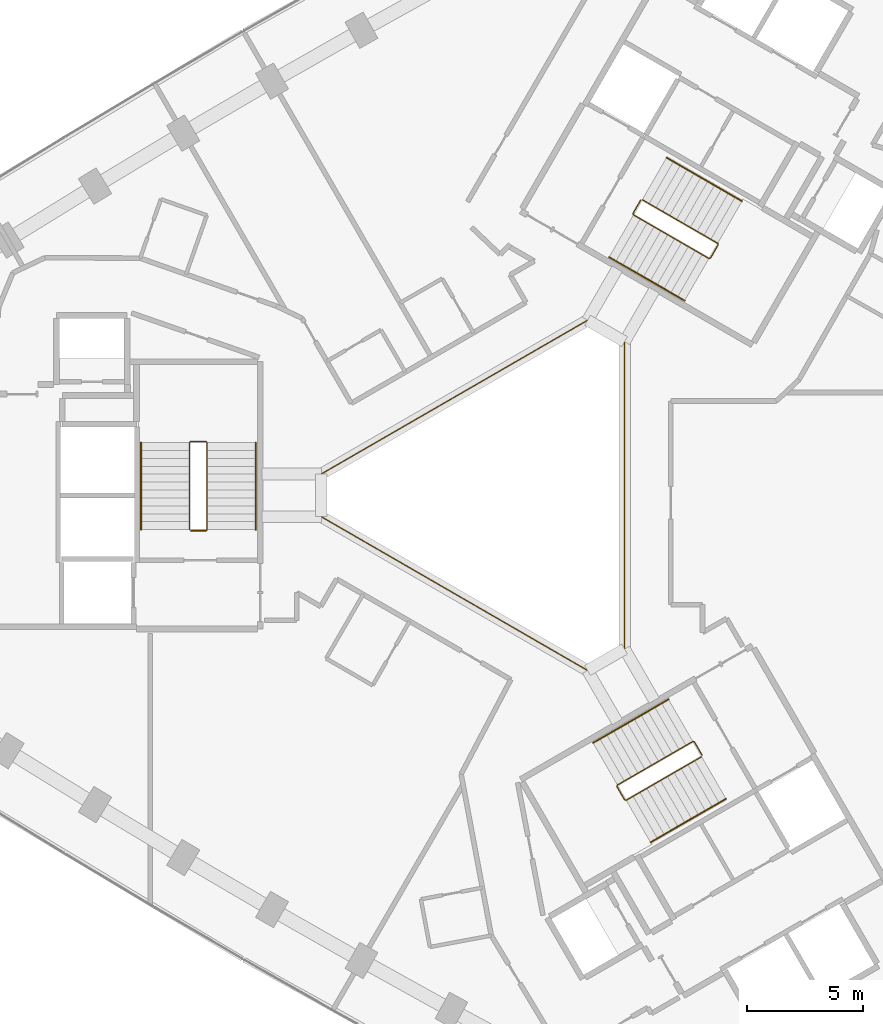
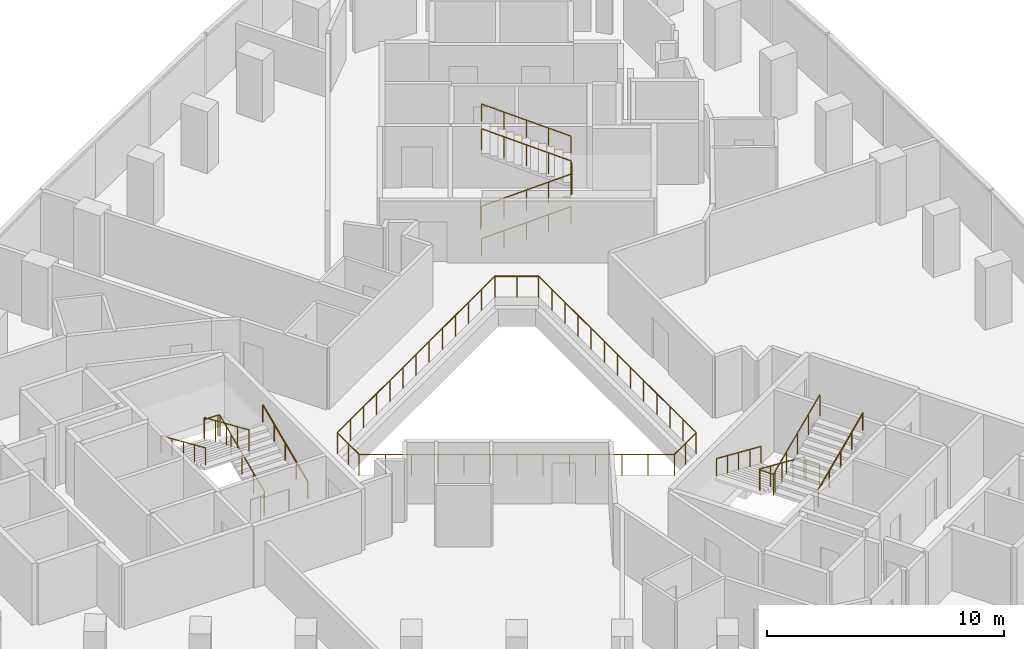
# One storey, part 12 of 12: 10 railings.
"""IFC4 building model written with IfcOpenShell, lengths in metres."""

import ifcopenshell
import ifcopenshell.guid

model = None  # the IFC model being written
_history = None  # IfcOwnerHistory: only IFC2X3 demands one
_inside = {}  # id of a spatial element -> (the spatial element, [elements in it])
_under = {}  # id of a project, library or spatial element -> (it, [spatial elements below it])
_declared = {}  # id of a project -> (the project, [libraries it declares])
_typed = {}  # id of a type object -> (the type object, [elements of that type])
_made_of = {}  # id of a material, layer set ... -> (it, [elements and type objects made of it])


def new_model(schema):
    """Start an empty IFC model of exactly this schema.

    Asked for "IFC4X3", IfcOpenShell would pick the latest addendum, in which some entities
    have other attributes; the version numbers below select the first issue.
    IFC2X3 requires an IfcOwnerHistory on every rooted entity: one is made here for all.
    """
    global model, _history
    if schema == "IFC4X3":
        model = ifcopenshell.file(schema_version=(4, 3, 0, 0))
    else:
        model = ifcopenshell.file(schema=schema)
    _inside.clear()
    _under.clear()
    _declared.clear()
    _typed.clear()
    _made_of.clear()
    _history = None
    if model.schema == "IFC2X3":
        org = make("IfcOrganization", Name="unknown")
        user = make(
            "IfcPersonAndOrganization",
            ThePerson=make("IfcPerson", FamilyName="unknown"),
            TheOrganization=org,
        )
        app = make(
            "IfcApplication",
            ApplicationDeveloper=org,
            Version="unknown",
            ApplicationFullName="unknown",
            ApplicationIdentifier="unknown",
        )
        _history = make(
            "IfcOwnerHistory",
            OwningUser=user,
            OwningApplication=app,
            ChangeAction="ADDED",
            CreationDate=0,
        )
    return model


def make(cls, **values):
    """One entity of the class cls with the attributes given. An attribute that is None is left unset."""
    return model.create_entity(
        cls, **{name: value for name, value in values.items() if value is not None}
    )


def rooted(cls, **values):
    """An entity with a GlobalId (a new one), such as an element, a storey or a relation."""
    return make(cls, GlobalId=ifcopenshell.guid.new(), OwnerHistory=_history, **values)


def si_unit(unit_type, name, prefix=None):
    """IfcSIUnit, for example si_unit("LENGTHUNIT", "METRE", prefix="MILLI")."""
    return make("IfcSIUnit", UnitType=unit_type, Prefix=prefix, Name=name)


def assignment(units):
    """IfcUnitAssignment: the units of a project."""
    return None if units is None else make("IfcUnitAssignment", Units=units)


def point(xyz):
    """IfcCartesianPoint."""
    return None if xyz is None else make("IfcCartesianPoint", Coordinates=xyz)


def direction(xyz):
    """IfcDirection."""
    return None if xyz is None else make("IfcDirection", DirectionRatios=xyz)


def frame(location, z_axis=None, x_axis=None):
    """IfcAxis2Placement3D, a coordinate frame: its origin and axes. An axis left out is left unset."""
    return make(
        "IfcAxis2Placement3D",
        Location=point(location),
        Axis=direction(z_axis),
        RefDirection=direction(x_axis),
    )


def frame_2d(location, x_axis=None):
    """IfcAxis2Placement2D, a coordinate frame in the plane: its origin and x axis."""
    return make(
        "IfcAxis2Placement2D", Location=point(location), RefDirection=direction(x_axis)
    )


def origin():
    """The frame at (0, 0, 0) with its axes left unset."""
    return frame((0.0, 0.0, 0.0))


def origin_2d():
    """The frame at (0, 0) in the plane with its x axis left unset."""
    return frame_2d((0.0, 0.0))


def place(relative_to, where):
    """IfcLocalPlacement: puts the frame where relative to a parent placement (None: the world)."""
    return make(
        "IfcLocalPlacement", PlacementRelTo=relative_to, RelativePlacement=where
    )


def context(
    kind, dimensions, precision=None, world=None, true_north=None, identifier=None
):
    """IfcGeometricRepresentationContext, for example the 3D "Model" context."""
    return make(
        "IfcGeometricRepresentationContext",
        ContextIdentifier=identifier,
        ContextType=kind,
        CoordinateSpaceDimension=dimensions,
        Precision=precision,
        WorldCoordinateSystem=world,
        TrueNorth=true_north,
    )


def subcontext(parent, identifier, kind, view, scale=None):
    """IfcGeometricRepresentationSubContext, for example "Body" below "Model"."""
    return make(
        "IfcGeometricRepresentationSubContext",
        ContextIdentifier=identifier,
        ContextType=kind,
        ParentContext=parent,
        TargetScale=scale,
        TargetView=view,
    )


def project(units=None, contexts=None):
    """IfcProject with its units and contexts."""
    return rooted(
        "IfcProject",
        Name="project",
        RepresentationContexts=contexts,
        UnitsInContext=assignment(units),
    )


def spatial(cls, under=None, at=None, **own):
    """A site, building, storey or space (cls), placed at a placement, below another one or the project."""
    s = rooted(cls, ObjectPlacement=at, **own)
    if under is not None:
        _under.setdefault(under.id(), (under, []))[1].append(s)
    return s


def profile(cls, at=None, kind="AREA", **sizes):
    """A parametric profile (cls). Its sizes go by their IFC names, for example OverallWidth=200.0."""
    return make(cls, ProfileType=kind, Position=at, **sizes)


def circle(**sizes):
    """IfcCircleProfileDef."""
    return profile("IfcCircleProfileDef", **sizes)


def extrude(swept, where, along, depth):
    """IfcExtrudedAreaSolid: the profile swept, set in the frame where, extruded along a direction by depth."""
    return make(
        "IfcExtrudedAreaSolid",
        SweptArea=swept,
        Position=where,
        ExtrudedDirection=direction(along),
        Depth=depth,
    )


def shape(context_of_items, identifier, shape_type, items):
    """IfcShapeRepresentation: the items that make up one representation, for example the "Body"."""
    return make(
        "IfcShapeRepresentation",
        ContextOfItems=context_of_items,
        RepresentationIdentifier=identifier,
        RepresentationType=shape_type,
        Items=items,
    )


def material(Name=None, Category=None):
    """IfcMaterial."""
    return make("IfcMaterial", Name=Name, Category=Category)


def made_of(thing, what):
    """Note that an element or type object is made of a material, layer set ...; save() writes the relation."""
    if what is not None:
        _made_of.setdefault(what.id(), (what, []))[1].append(thing)
    return thing


def type_object(cls, material=None, **own):
    """A type object (cls), such as IfcWallType, which elements share."""
    return made_of(rooted(cls, **own), material)


def element(
    cls,
    number,
    at=None,
    inside=None,
    cuts=None,
    type_object=None,
    material=None,
    context=None,
    identifier="Body",
    shape_type=None,
    held_by="IfcProductDefinitionShape",
    body=None,
    shapes=None,
    **own,
):
    """One element of the class cls, such as IfcWall. Its Tag is "e" and its number.

    at: its placement. inside: the storey or other place that contains it. cuts: it is an
    opening in that element (IfcRelVoidsElement). A single representation is given by context,
    identifier, shape_type and body (its items); several are given by shapes. held_by: the class
    of the entity that holds the representations. save() writes the other relations.
    """
    e = rooted(cls, Tag="e%d" % number, ObjectPlacement=at, **own)
    if body is not None:
        shapes = [shape(context, identifier, shape_type, body)]
    if shapes is not None:
        e.Representation = make(held_by, Representations=shapes)
    if inside is not None:
        _inside.setdefault(inside.id(), (inside, []))[1].append(e)
    if cuts is not None:
        rooted(
            "IfcRelVoidsElement", RelatingBuildingElement=cuts, RelatedOpeningElement=e
        )
    if type_object is not None:
        _typed.setdefault(type_object.id(), (type_object, []))[1].append(e)
    return made_of(e, material)


def aggregate(whole, parts):
    """IfcRelAggregates: a whole, such as a stair, and the parts it consists of."""
    return rooted("IfcRelAggregates", RelatingObject=whole, RelatedObjects=parts)


def save(model, path):
    """Write the relations noted so far, then the file.

    IfcRelAggregates (storeys below a building ...), IfcRelContainedInSpatialStructure (elements
    in a storey), IfcRelDefinesByType, IfcRelAssociatesMaterial and IfcRelDeclares: one each for
    every whole, place, type object, material and project.
    """
    for whole, parts in _under.values():
        aggregate(whole, parts)
    for where, things in _inside.values():
        rooted(
            "IfcRelContainedInSpatialStructure",
            RelatedElements=things,
            RelatingStructure=where,
        )
    for kind, things in _typed.values():
        rooted("IfcRelDefinesByType", RelatedObjects=things, RelatingType=kind)
    for what, things in _made_of.values():
        rooted("IfcRelAssociatesMaterial", RelatedObjects=things, RelatingMaterial=what)
    for by, libraries in _declared.values():
        rooted("IfcRelDeclares", RelatingContext=by, RelatedDefinitions=libraries)
    model.write(path)


model = new_model("IFC4")

# Units and contexts
model_context = context("Model", 3, precision=1e-05, world=origin(), true_north=direction((0.0, 1.0)))
body_context = subcontext(model_context, "Body", "Model", "MODEL_VIEW")
ifc_project = project(units=[si_unit("LENGTHUNIT", "METRE"), si_unit("AREAUNIT", "SQUARE_METRE"), si_unit("VOLUMEUNIT", "CUBIC_METRE"), si_unit("PLANEANGLEUNIT", "RADIAN"), si_unit("MASSUNIT", "GRAM", prefix="KILO")], contexts=[model_context])

# Site, building, storey
site_placement = place(None, origin())
site = spatial("IfcSite", under=ifc_project, at=site_placement, CompositionType="ELEMENT")
building_placement = place(site_placement, origin())
building = spatial("IfcBuilding", under=site, at=building_placement, Name="Tamra Quay Hotel Tower", CompositionType="ELEMENT")
storey_placement = place(building_placement, frame((0.0, 0.0, 104.60009765625)))
storey = spatial("IfcBuildingStorey", under=building, at=storey_placement, Name="L25", CompositionType="ELEMENT", Elevation=104.60009765625)

# Railings
ifc_material_1 = material(Name="Guard atrium edge 1100")
railing_type_1 = type_object("IfcRailingType", Name="Guard atrium edge 1100", PredefinedType="GUARDRAIL", material=ifc_material_1)
railing_1_placement = place(storey_placement, frame((4.89990234375, -6.639892578125, 0.0)))
element("IfcRailing", 1, at=railing_1_placement, inside=storey, type_object=railing_type_1, Name="G-A", PredefinedType="GUARDRAIL", context=body_context, shape_type="SweptSolid", body=[
    extrude(circle(Radius=0.02392578125, at=origin_2d()), frame((0.0, 0.0, 1.076171875), z_axis=(-0.866161379324, -0.499764409465, 0.0), x_axis=(0.499764409465, -0.866161379324, 0.0)), (0.0, 0.0, 1.0), 1.84716796875),
    extrude(circle(Radius=0.02392578125, at=origin_2d()), frame((-1.599853515625, -0.923095703125, 1.076171875), z_axis=(-0.866045362687, 0.499965428574, 0.0), x_axis=(-0.499965428574, -0.866045362687, 0.0)), (0.0, 0.0, 1.0), 13.27880859375),
    extrude(circle(Radius=0.02392578125, at=origin_2d()), frame((-13.099853515625, 5.7158203125, 1.076171875), z_axis=(0.0, 1.0, 0.0), x_axis=(-1.0, 0.0, 0.0)), (0.0, 0.0, 1.0), 1.84814453125),
    extrude(circle(Radius=0.02392578125, at=origin_2d()), frame((-13.099853515625, 7.56396484375, 1.076171875), z_axis=(0.866045362687, 0.499965428574, 0.0), x_axis=(-0.499965428574, 0.866045362687, 0.0)), (0.0, 0.0, 1.0), 13.27880859375),
    extrude(circle(Radius=0.02392578125, at=origin_2d()), frame((-1.599853515625, 14.202880859375, 1.076171875), z_axis=(0.866161379324, -0.499764409465, 0.0), x_axis=(0.499764409465, 0.866161379324, 0.0)), (0.0, 0.0, 1.0), 1.84716796875),
    extrude(circle(Radius=0.02392578125, at=origin_2d()), frame((0.0, 13.27978515625, 1.076171875), z_axis=(0.0, -1.0, 0.0), x_axis=(1.0, 0.0, 0.0)), (0.0, 0.0, 1.0), 13.27978515625),
    extrude(circle(Radius=0.02099609375, at=origin_2d()), origin(), (0.0, 0.0, 1.0), 1.052001953125),
    extrude(circle(Radius=0.02099609375, at=origin_2d()), frame((-0.7998046875, -0.46142578125, 0.0)), (0.0, 0.0, 1.0), 1.052001953125),
    extrude(circle(Radius=0.02099609375, at=origin_2d()), frame((-1.599853515625, -0.923095703125, 0.0)), (0.0, 0.0, 1.0), 1.052001953125),
    extrude(circle(Radius=0.02099609375, at=origin_2d()), frame((-2.55810546875, -0.369873046875, 0.0)), (0.0, 0.0, 1.0), 1.052001953125),
    extrude(circle(Radius=0.02099609375, at=origin_2d()), frame((-3.5166015625, 0.183349609375, 0.0)), (0.0, 0.0, 1.0), 1.052001953125),
    extrude(circle(Radius=0.02099609375, at=origin_2d()), frame((-4.474853515625, 0.736572265625, 0.0)), (0.0, 0.0, 1.0), 1.052001953125),
    extrude(circle(Radius=0.02099609375, at=origin_2d()), frame((-5.43310546875, 1.289794921875, 0.0)), (0.0, 0.0, 1.0), 1.052001953125),
    extrude(circle(Radius=0.02099609375, at=origin_2d()), frame((-6.3916015625, 1.843017578125, 0.0)), (0.0, 0.0, 1.0), 1.052001953125),
    extrude(circle(Radius=0.02099609375, at=origin_2d()), frame((-7.349853515625, 2.396484375, 0.0)), (0.0, 0.0, 1.0), 1.052001953125),
    extrude(circle(Radius=0.02099609375, at=origin_2d()), frame((-8.30810546875, 2.94970703125, 0.0)), (0.0, 0.0, 1.0), 1.052001953125),
    extrude(circle(Radius=0.02099609375, at=origin_2d()), frame((-9.2666015625, 3.5029296875, 0.0)), (0.0, 0.0, 1.0), 1.052001953125),
    extrude(circle(Radius=0.02099609375, at=origin_2d()), frame((-10.224853515625, 4.05615234375, 0.0)), (0.0, 0.0, 1.0), 1.052001953125),
    extrude(circle(Radius=0.02099609375, at=origin_2d()), frame((-11.18310546875, 4.609375, 0.0)), (0.0, 0.0, 1.0), 1.052001953125),
    extrude(circle(Radius=0.02099609375, at=origin_2d()), frame((-12.1416015625, 5.16259765625, 0.0)), (0.0, 0.0, 1.0), 1.052001953125),
    extrude(circle(Radius=0.02099609375, at=origin_2d()), frame((-13.099853515625, 5.7158203125, 0.0)), (0.0, 0.0, 1.0), 1.052001953125),
    extrude(circle(Radius=0.02099609375, at=origin_2d()), frame((-13.099853515625, 6.639892578125, 0.0)), (0.0, 0.0, 1.0), 1.052001953125),
    extrude(circle(Radius=0.02099609375, at=origin_2d()), frame((-13.099853515625, 7.56396484375, 0.0)), (0.0, 0.0, 1.0), 1.052001953125),
    extrude(circle(Radius=0.02099609375, at=origin_2d()), frame((-12.1416015625, 8.1171875, 0.0)), (0.0, 0.0, 1.0), 1.052001953125),
    extrude(circle(Radius=0.02099609375, at=origin_2d()), frame((-11.18310546875, 8.67041015625, 0.0)), (0.0, 0.0, 1.0), 1.052001953125),
    extrude(circle(Radius=0.02099609375, at=origin_2d()), frame((-10.224853515625, 9.2236328125, 0.0)), (0.0, 0.0, 1.0), 1.052001953125),
    extrude(circle(Radius=0.02099609375, at=origin_2d()), frame((-9.2666015625, 9.77685546875, 0.0)), (0.0, 0.0, 1.0), 1.052001953125),
    extrude(circle(Radius=0.02099609375, at=origin_2d()), frame((-8.30810546875, 10.330078125, 0.0)), (0.0, 0.0, 1.0), 1.052001953125),
    extrude(circle(Radius=0.02099609375, at=origin_2d()), frame((-7.349853515625, 10.88330078125, 0.0)), (0.0, 0.0, 1.0), 1.052001953125),
    extrude(circle(Radius=0.02099609375, at=origin_2d()), frame((-6.3916015625, 11.436767578125, 0.0)), (0.0, 0.0, 1.0), 1.052001953125),
    extrude(circle(Radius=0.02099609375, at=origin_2d()), frame((-5.43310546875, 11.989990234375, 0.0)), (0.0, 0.0, 1.0), 1.052001953125),
    extrude(circle(Radius=0.02099609375, at=origin_2d()), frame((-4.474853515625, 12.543212890625, 0.0)), (0.0, 0.0, 1.0), 1.052001953125),
    extrude(circle(Radius=0.02099609375, at=origin_2d()), frame((-3.5166015625, 13.096435546875, 0.0)), (0.0, 0.0, 1.0), 1.052001953125),
    extrude(circle(Radius=0.02099609375, at=origin_2d()), frame((-2.55810546875, 13.649658203125, 0.0)), (0.0, 0.0, 1.0), 1.052001953125),
    extrude(circle(Radius=0.02099609375, at=origin_2d()), frame((-1.599853515625, 14.202880859375, 0.0)), (0.0, 0.0, 1.0), 1.052001953125),
    extrude(circle(Radius=0.02099609375, at=origin_2d()), frame((-0.7998046875, 13.7412109375, 0.0)), (0.0, 0.0, 1.0), 1.052001953125),
    extrude(circle(Radius=0.02099609375, at=origin_2d()), frame((0.0, 13.27978515625, 0.0)), (0.0, 0.0, 1.0), 1.052001953125),
    extrude(circle(Radius=0.02099609375, at=origin_2d()), frame((0.0, 12.173095703125, 0.0)), (0.0, 0.0, 1.0), 1.052001953125),
    extrude(circle(Radius=0.02099609375, at=origin_2d()), frame((0.0, 11.06640625, 0.0)), (0.0, 0.0, 1.0), 1.052001953125),
    extrude(circle(Radius=0.02099609375, at=origin_2d()), frame((0.0, 9.9599609375, 0.0)), (0.0, 0.0, 1.0), 1.052001953125),
    extrude(circle(Radius=0.02099609375, at=origin_2d()), frame((0.0, 8.853271484375, 0.0)), (0.0, 0.0, 1.0), 1.052001953125),
    extrude(circle(Radius=0.02099609375, at=origin_2d()), frame((0.0, 7.74658203125, 0.0)), (0.0, 0.0, 1.0), 1.052001953125),
    extrude(circle(Radius=0.02099609375, at=origin_2d()), frame((0.0, 6.639892578125, 0.0)), (0.0, 0.0, 1.0), 1.052001953125),
    extrude(circle(Radius=0.02099609375, at=origin_2d()), frame((0.0, 5.533203125, 0.0)), (0.0, 0.0, 1.0), 1.052001953125),
    extrude(circle(Radius=0.02099609375, at=origin_2d()), frame((0.0, 4.426513671875, 0.0)), (0.0, 0.0, 1.0), 1.052001953125),
    extrude(circle(Radius=0.02099609375, at=origin_2d()), frame((0.0, 3.31982421875, 0.0)), (0.0, 0.0, 1.0), 1.052001953125),
    extrude(circle(Radius=0.02099609375, at=origin_2d()), frame((0.0, 2.21337890625, 0.0)), (0.0, 0.0, 1.0), 1.052001953125),
    extrude(circle(Radius=0.02099609375, at=origin_2d()), frame((0.0, 1.106689453125, 0.0)), (0.0, 0.0, 1.0), 1.052001953125),
])
ifc_material_2 = material(Name="Stair guard 1100")
railing_type_2 = type_object("IfcRailingType", Name="Stair guard 1100", PredefinedType="GUARDRAIL", material=ifc_material_2)
railing_2_placement = place(storey_placement, frame((-13.84130859375, -1.530029296875, 0.0)))
element("IfcRailing", 2, at=railing_2_placement, inside=storey, type_object=railing_type_2, Name="GR", PredefinedType="GUARDRAIL", context=body_context, shape_type="SweptSolid", body=[
    extrude(circle(Radius=0.02392578125, at=origin_2d()), frame((0.0, 0.0, 1.076171875), z_axis=(1.0, 0.0, 0.0), x_axis=(0.0, 1.0, 0.0)), (0.0, 0.0, 1.0), 0.658935546875),
    extrude(circle(Radius=0.02392578125, at=origin_2d()), frame((0.658935546875, 0.0, 1.076171875), z_axis=(0.301912943143, 0.301912943143, 0.904266083366), x_axis=(-0.707106781187, 0.707106781187, 0.0)), (0.0, 0.0, 1.0), 0.165771484375),
    extrude(circle(Radius=0.02392578125, at=origin_2d()), frame((0.708984375, 0.050048828125, 1.22607421875), z_axis=(0.0, 0.915795495799, 0.401644880304), x_axis=(-1.0, 0.0, 0.0)), (0.0, 0.0, 1.0), 4.10791015625),
    extrude(circle(Radius=0.02392578125, at=origin_2d()), frame((0.708984375, 3.81201171875, 2.8759765625), z_axis=(-0.708833529934, 0.705375805398, 0.0), x_axis=(-0.705375805398, -0.708833529934, 0.0)), (0.0, 0.0, 1.0), 0.070556640625),
    extrude(circle(Radius=0.02392578125, at=origin_2d()), frame((0.658935546875, 3.86181640625, 2.8759765625), z_axis=(-1.0, 0.0, 0.0), x_axis=(0.0, -1.0, 0.0)), (0.0, 0.0, 1.0), 0.658935546875),
    extrude(circle(Radius=0.02392578125, at=origin_2d()), frame((0.0, 3.86181640625, 2.8759765625), z_axis=(-0.301644814947, -0.300173376825, 0.904934444842), x_axis=(0.705375805398, -0.708833529934, 0.0)), (0.0, 0.0, 1.0), 0.166015625),
    extrude(circle(Radius=0.02392578125, at=origin_2d()), frame((-0.050048828125, 3.81201171875, 3.02587890625), z_axis=(0.0, -0.915795495799, 0.401644880304), x_axis=(1.0, 0.0, 0.0)), (0.0, 0.0, 1.0), 4.10791015625),
    extrude(circle(Radius=0.02099609375, at=origin_2d()), origin(), (0.0, 0.0, 1.0), 1.052001953125),
    extrude(circle(Radius=0.02099609375, at=origin_2d()), frame((0.658935546875, 0.0, 0.0)), (0.0, 0.0, 1.0), 1.052001953125),
    extrude(circle(Radius=0.02099609375, at=origin_2d()), frame((0.708984375, 0.050048828125, 0.14990234375)), (0.0, 0.0, 1.0), 1.052001953125),
    extrude(circle(Radius=0.02099609375, at=origin_2d()), frame((0.708984375, 0.990478515625, 0.5625)), (0.0, 0.0, 1.0), 1.052001953125),
    extrude(circle(Radius=0.02099609375, at=origin_2d()), frame((0.708984375, 1.93115234375, 0.974853515625)), (0.0, 0.0, 1.0), 1.052001953125),
    extrude(circle(Radius=0.02099609375, at=origin_2d()), frame((0.708984375, 2.87158203125, 1.38720703125)), (0.0, 0.0, 1.0), 1.052001953125),
    extrude(circle(Radius=0.02099609375, at=origin_2d()), frame((0.708984375, 3.81201171875, 1.7998046875)), (0.0, 0.0, 1.0), 1.052001953125),
    extrude(circle(Radius=0.02099609375, at=origin_2d()), frame((0.658935546875, 3.86181640625, 1.7998046875)), (0.0, 0.0, 1.0), 1.052001953125),
    extrude(circle(Radius=0.02099609375, at=origin_2d()), frame((0.0, 3.86181640625, 1.7998046875)), (0.0, 0.0, 1.0), 1.052001953125),
    extrude(circle(Radius=0.02099609375, at=origin_2d()), frame((-0.050048828125, 3.81201171875, 1.949951171875)), (0.0, 0.0, 1.0), 1.052001953125),
    extrude(circle(Radius=0.02099609375, at=origin_2d()), frame((-0.050048828125, 2.87158203125, 2.3623046875)), (0.0, 0.0, 1.0), 1.052001953125),
    extrude(circle(Radius=0.02099609375, at=origin_2d()), frame((-0.050048828125, 1.93115234375, 2.77490234375)), (0.0, 0.0, 1.0), 1.052001953125),
    extrude(circle(Radius=0.02099609375, at=origin_2d()), frame((-0.050048828125, 0.990478515625, 3.1875)), (0.0, 0.0, 1.0), 1.052001953125),
    extrude(circle(Radius=0.02099609375, at=origin_2d()), frame((-0.050048828125, 0.050048828125, 3.599853515625)), (0.0, 0.0, 1.0), 1.052001953125),
])
railing_3_placement = place(storey_placement, frame((5.595458984375, 12.751953125, 0.0)))
element("IfcRailing", 3, at=railing_3_placement, inside=storey, type_object=railing_type_2, Name="GR", PredefinedType="GUARDRAIL", context=body_context, shape_type="SweptSolid", body=[
    extrude(circle(Radius=0.02392578125, at=origin_2d()), frame((0.0, 0.0, 1.076171875), z_axis=(-0.499765215335, -0.866160914346, 0.0), x_axis=(0.866160914346, -0.499765215335, 0.0)), (0.0, 0.0, 1.0), 0.658935546875),
    extrude(circle(Radius=0.02392578125, at=origin_2d()), frame((-0.329345703125, -0.57080078125, 1.076171875), z_axis=(0.110525977783, -0.411156637351, 0.904839338113), x_axis=(0.965715946433, 0.259601060869, 0.0)), (0.0, 0.0, 1.0), 0.165771484375),
    extrude(circle(Radius=0.02392578125, at=origin_2d()), frame((-0.31103515625, -0.638916015625, 1.22607421875), z_axis=(0.793078462799, -0.457933869594, 0.401650498471), x_axis=(0.500040788363, 0.866001853331, 0.0)), (0.0, 0.0, 1.0), 4.10791015625),
    extrude(circle(Radius=0.02392578125, at=origin_2d()), frame((2.94677734375, -2.52001953125, 2.8759765625), z_axis=(0.965948051503, 0.258736085224, 0.0), x_axis=(-0.258736085224, 0.965948051503, 0.0)), (0.0, 0.0, 1.0), 0.07080078125),
    extrude(circle(Radius=0.02392578125, at=origin_2d()), frame((3.01513671875, -2.501708984375, 2.8759765625), z_axis=(0.500043078269, 0.866000531106, 0.0), x_axis=(-0.866000531106, 0.500043078269, 0.0)), (0.0, 0.0, 1.0), 0.6591796875),
    extrude(circle(Radius=0.02392578125, at=origin_2d()), frame((3.3447265625, -1.930908203125, 2.8759765625), z_axis=(-0.110378772244, 0.410609032747, 0.905105932399), x_axis=(-0.965715946433, -0.259601060869, 0.0)), (0.0, 0.0, 1.0), 0.165771484375),
    extrude(circle(Radius=0.02392578125, at=origin_2d()), frame((3.326416015625, -1.86279296875, 3.02587890625), z_axis=(-0.793100512587, 0.457912285461, 0.401631567183), x_axis=(-0.500012686397, -0.866018079166, 0.0)), (0.0, 0.0, 1.0), 4.10791015625),
    extrude(circle(Radius=0.02099609375, at=origin_2d()), origin(), (0.0, 0.0, 1.0), 1.052001953125),
    extrude(circle(Radius=0.02099609375, at=origin_2d()), frame((-0.329345703125, -0.57080078125, 0.0)), (0.0, 0.0, 1.0), 1.052001953125),
    extrude(circle(Radius=0.02099609375, at=origin_2d()), frame((-0.31103515625, -0.638916015625, 0.14990234375)), (0.0, 0.0, 1.0), 1.052001953125),
    extrude(circle(Radius=0.02099609375, at=origin_2d()), frame((0.50341796875, -1.109130859375, 0.5625)), (0.0, 0.0, 1.0), 1.052001953125),
    extrude(circle(Radius=0.02099609375, at=origin_2d()), frame((1.31787109375, -1.57958984375, 0.974853515625)), (0.0, 0.0, 1.0), 1.052001953125),
    extrude(circle(Radius=0.02099609375, at=origin_2d()), frame((2.13232421875, -2.0498046875, 1.38720703125)), (0.0, 0.0, 1.0), 1.052001953125),
    extrude(circle(Radius=0.02099609375, at=origin_2d()), frame((2.94677734375, -2.52001953125, 1.7998046875)), (0.0, 0.0, 1.0), 1.052001953125),
    extrude(circle(Radius=0.02099609375, at=origin_2d()), frame((3.01513671875, -2.501708984375, 1.7998046875)), (0.0, 0.0, 1.0), 1.052001953125),
    extrude(circle(Radius=0.02099609375, at=origin_2d()), frame((3.3447265625, -1.930908203125, 1.7998046875)), (0.0, 0.0, 1.0), 1.052001953125),
    extrude(circle(Radius=0.02099609375, at=origin_2d()), frame((3.326416015625, -1.86279296875, 1.949951171875)), (0.0, 0.0, 1.0), 1.052001953125),
    extrude(circle(Radius=0.02099609375, at=origin_2d()), frame((2.511962890625, -1.392578125, 2.3623046875)), (0.0, 0.0, 1.0), 1.052001953125),
    extrude(circle(Radius=0.02099609375, at=origin_2d()), frame((1.697265625, -0.92236328125, 2.77490234375)), (0.0, 0.0, 1.0), 1.052001953125),
    extrude(circle(Radius=0.02099609375, at=origin_2d()), frame((0.8828125, -0.451904296875, 3.1875)), (0.0, 0.0, 1.0), 1.052001953125),
    extrude(circle(Radius=0.02099609375, at=origin_2d()), frame((0.068359375, 0.018310546875, 3.599853515625)), (0.0, 0.0, 1.0), 1.052001953125),
])
railing_4_placement = place(storey_placement, frame((8.245849609375, -11.221923828125, 0.0)))
element("IfcRailing", 4, at=railing_4_placement, inside=storey, type_object=railing_type_2, Name="GR", PredefinedType="GUARDRAIL", context=body_context, shape_type="SweptSolid", body=[
    extrude(circle(Radius=0.02392578125, at=origin_2d()), frame((0.0, 0.0, 1.076171875), z_axis=(-0.500043078269, 0.866000531106, 0.0), x_axis=(-0.866000531106, -0.500043078269, 0.0)), (0.0, 0.0, 1.0), 0.6591796875),
    extrude(circle(Radius=0.02392578125, at=origin_2d()), frame((-0.32958984375, 0.57080078125, 1.076171875), z_axis=(-0.41238007866, 0.110458949641, 0.904290601062), x_axis=(-0.258736085224, -0.965948051503, 0.0)), (0.0, 0.0, 1.0), 0.165771484375),
    extrude(circle(Radius=0.02392578125, at=origin_2d()), frame((-0.39794921875, 0.589111328125, 1.22607421875), z_axis=(-0.793100512587, -0.457912285461, 0.401631567183), x_axis=(0.500012686397, -0.866018079166, 0.0)), (0.0, 0.0, 1.0), 4.10791015625),
    extrude(circle(Radius=0.02392578125, at=origin_2d()), frame((-3.656005859375, -1.2919921875, 2.8759765625), z_axis=(-0.256368644879, -0.966579080015, 0.0), x_axis=(0.966579080015, -0.256368644879, 0.0)), (0.0, 0.0, 1.0), 0.070556640625),
    extrude(circle(Radius=0.02392578125, at=origin_2d()), frame((-3.674072265625, -1.360107421875, 2.8759765625), z_axis=(0.499765215335, -0.866160914346, 0.0), x_axis=(0.866160914346, 0.499765215335, 0.0)), (0.0, 0.0, 1.0), 0.658935546875),
    extrude(circle(Radius=0.02392578125, at=origin_2d()), frame((-3.3447265625, -1.930908203125, 2.8759765625), z_axis=(0.411831509231, -0.110312011401, 0.90455849349), x_axis=(0.258736085224, 0.965948051503, 0.0)), (0.0, 0.0, 1.0), 0.166015625),
    extrude(circle(Radius=0.02392578125, at=origin_2d()), frame((-3.2763671875, -1.94921875, 3.02587890625), z_axis=(0.793100512587, 0.457912285461, 0.401631567183), x_axis=(-0.500012686397, 0.866018079166, 0.0)), (0.0, 0.0, 1.0), 4.10791015625),
    extrude(circle(Radius=0.02099609375, at=origin_2d()), origin(), (0.0, 0.0, 1.0), 1.052001953125),
    extrude(circle(Radius=0.02099609375, at=origin_2d()), frame((-0.32958984375, 0.57080078125, 0.0)), (0.0, 0.0, 1.0), 1.052001953125),
    extrude(circle(Radius=0.02099609375, at=origin_2d()), frame((-0.39794921875, 0.589111328125, 0.14990234375)), (0.0, 0.0, 1.0), 1.052001953125),
    extrude(circle(Radius=0.02099609375, at=origin_2d()), frame((-1.21240234375, 0.118896484375, 0.5625)), (0.0, 0.0, 1.0), 1.052001953125),
    extrude(circle(Radius=0.02099609375, at=origin_2d()), frame((-2.02685546875, -0.3515625, 0.974853515625)), (0.0, 0.0, 1.0), 1.052001953125),
    extrude(circle(Radius=0.02099609375, at=origin_2d()), frame((-2.841552734375, -0.82177734375, 1.38720703125)), (0.0, 0.0, 1.0), 1.052001953125),
    extrude(circle(Radius=0.02099609375, at=origin_2d()), frame((-3.656005859375, -1.2919921875, 1.7998046875)), (0.0, 0.0, 1.0), 1.052001953125),
    extrude(circle(Radius=0.02099609375, at=origin_2d()), frame((-3.674072265625, -1.360107421875, 1.7998046875)), (0.0, 0.0, 1.0), 1.052001953125),
    extrude(circle(Radius=0.02099609375, at=origin_2d()), frame((-3.3447265625, -1.930908203125, 1.7998046875)), (0.0, 0.0, 1.0), 1.052001953125),
    extrude(circle(Radius=0.02099609375, at=origin_2d()), frame((-3.2763671875, -1.94921875, 1.949951171875)), (0.0, 0.0, 1.0), 1.052001953125),
    extrude(circle(Radius=0.02099609375, at=origin_2d()), frame((-2.4619140625, -1.47900390625, 2.3623046875)), (0.0, 0.0, 1.0), 1.052001953125),
    extrude(circle(Radius=0.02099609375, at=origin_2d()), frame((-1.6474609375, -1.0087890625, 2.77490234375)), (0.0, 0.0, 1.0), 1.052001953125),
    extrude(circle(Radius=0.02099609375, at=origin_2d()), frame((-0.832763671875, -0.538330078125, 3.1875)), (0.0, 0.0, 1.0), 1.052001953125),
    extrude(circle(Radius=0.02099609375, at=origin_2d()), frame((-0.018310546875, -0.068115234375, 3.599853515625)), (0.0, 0.0, 1.0), 1.052001953125),
])
ifc_material_3 = material(Name="Stair handrail 900")
railing_type_3 = type_object("IfcRailingType", Name="Stair handrail 900", PredefinedType="HANDRAIL", material=ifc_material_3)
railing_5_placement = place(storey_placement, frame((-11.0322265625, -1.47998046875, 0.14990234375)))
element("IfcRailing", 5, at=railing_5_placement, inside=storey, type_object=railing_type_3, Name="HR", PredefinedType="HANDRAIL", context=body_context, shape_type="SweptSolid", body=[
    extrude(circle(Radius=0.02392578125, at=origin_2d()), frame((0.0, 0.0, 0.8759765625), z_axis=(0.0, 0.915795495799, 0.401644880304), x_axis=(-1.0, 0.0, 0.0)), (0.0, 0.0, 1.0), 4.10791015625),
    extrude(circle(Radius=0.02099609375, at=origin_2d()), origin(), (0.0, 0.0, 1.0), 0.851806640625),
    extrude(circle(Radius=0.02099609375, at=origin_2d()), frame((0.0, 0.9404296875, 0.41259765625)), (0.0, 0.0, 1.0), 0.851806640625),
    extrude(circle(Radius=0.02099609375, at=origin_2d()), frame((0.0, 1.880859375, 0.824951171875)), (0.0, 0.0, 1.0), 0.851806640625),
    extrude(circle(Radius=0.02099609375, at=origin_2d()), frame((0.0, 2.821533203125, 1.2373046875)), (0.0, 0.0, 1.0), 0.851806640625),
    extrude(circle(Radius=0.02099609375, at=origin_2d()), frame((0.0, 3.761962890625, 1.64990234375)), (0.0, 0.0, 1.0), 0.851806640625),
])
railing_6_placement = place(storey_placement, frame((-15.9912109375, 2.281982421875, 1.949951171875)))
element("IfcRailing", 6, at=railing_6_placement, inside=storey, type_object=railing_type_3, Name="HR", PredefinedType="HANDRAIL", context=body_context, shape_type="SweptSolid", body=[
    extrude(circle(Radius=0.02392578125, at=origin_2d()), frame((0.0, 0.0, 0.8759765625), z_axis=(0.0, -0.915795495799, 0.401644880304), x_axis=(1.0, 0.0, 0.0)), (0.0, 0.0, 1.0), 4.10791015625),
    extrude(circle(Radius=0.02099609375, at=origin_2d()), origin(), (0.0, 0.0, 1.0), 0.851806640625),
    extrude(circle(Radius=0.02099609375, at=origin_2d()), frame((0.0, -0.9404296875, 0.41259765625)), (0.0, 0.0, 1.0), 0.851806640625),
    extrude(circle(Radius=0.02099609375, at=origin_2d()), frame((0.0, -1.880859375, 0.824951171875)), (0.0, 0.0, 1.0), 0.851806640625),
    extrude(circle(Radius=0.02099609375, at=origin_2d()), frame((0.0, -2.821533203125, 1.2373046875)), (0.0, 0.0, 1.0), 0.851806640625),
    extrude(circle(Radius=0.02099609375, at=origin_2d()), frame((0.0, -3.761962890625, 1.64990234375)), (0.0, 0.0, 1.0), 0.851806640625),
])
railing_7_placement = place(storey_placement, frame((4.234375, 10.294189453125, 0.14990234375)))
element("IfcRailing", 7, at=railing_7_placement, inside=storey, type_object=railing_type_3, Name="HR", PredefinedType="HANDRAIL", context=body_context, shape_type="SweptSolid", body=[
    extrude(circle(Radius=0.02392578125, at=origin_2d()), frame((0.0, 0.0, 0.8759765625), z_axis=(0.793122095483, -0.45786531462, 0.401642496911), x_axis=(0.499964013922, 0.86604617936, 0.0)), (0.0, 0.0, 1.0), 4.10791015625),
    extrude(circle(Radius=0.02099609375, at=origin_2d()), origin(), (0.0, 0.0, 1.0), 0.851806640625),
    extrude(circle(Radius=0.02099609375, at=origin_2d()), frame((0.814453125, -0.47021484375, 0.41259765625)), (0.0, 0.0, 1.0), 0.851806640625),
    extrude(circle(Radius=0.02099609375, at=origin_2d()), frame((1.62890625, -0.9404296875, 0.824951171875)), (0.0, 0.0, 1.0), 0.851806640625),
    extrude(circle(Radius=0.02099609375, at=origin_2d()), frame((2.443603515625, -1.41064453125, 1.2373046875)), (0.0, 0.0, 1.0), 0.851806640625),
    extrude(circle(Radius=0.02099609375, at=origin_2d()), frame((3.258056640625, -1.880859375, 1.64990234375)), (0.0, 0.0, 1.0), 0.851806640625),
])
railing_8_placement = place(storey_placement, frame((9.971923828125, 12.7080078125, 1.949951171875)))
element("IfcRailing", 8, at=railing_8_placement, inside=storey, type_object=railing_type_3, Name="HR", PredefinedType="HANDRAIL", context=body_context, shape_type="SweptSolid", body=[
    extrude(circle(Radius=0.02392578125, at=origin_2d()), frame((0.0, 0.0, 0.8759765625), z_axis=(-0.793122095483, 0.45786531462, 0.401642496911), x_axis=(-0.499964013922, -0.86604617936, 0.0)), (0.0, 0.0, 1.0), 4.10791015625),
    extrude(circle(Radius=0.02099609375, at=origin_2d()), origin(), (0.0, 0.0, 1.0), 0.851806640625),
    extrude(circle(Radius=0.02099609375, at=origin_2d()), frame((-0.814453125, 0.47021484375, 0.41259765625)), (0.0, 0.0, 1.0), 0.851806640625),
    extrude(circle(Radius=0.02099609375, at=origin_2d()), frame((-1.62890625, 0.9404296875, 0.824951171875)), (0.0, 0.0, 1.0), 0.851806640625),
    extrude(circle(Radius=0.02099609375, at=origin_2d()), frame((-2.443603515625, 1.41064453125, 1.2373046875)), (0.0, 0.0, 1.0), 0.851806640625),
    extrude(circle(Radius=0.02099609375, at=origin_2d()), frame((-3.258056640625, 1.880859375, 1.64990234375)), (0.0, 0.0, 1.0), 0.851806640625),
])
railing_9_placement = place(storey_placement, frame((6.7978515625, -8.814208984375, 0.14990234375)))
element("IfcRailing", 9, at=railing_9_placement, inside=storey, type_object=railing_type_3, Name="HR", PredefinedType="HANDRAIL", context=body_context, shape_type="SweptSolid", body=[
    extrude(circle(Radius=0.02392578125, at=origin_2d()), frame((0.0, 0.0, 0.8759765625), z_axis=(-0.79310004713, -0.457886897714, 0.401661429744), x_axis=(0.499992114976, -0.866029956157, 0.0)), (0.0, 0.0, 1.0), 4.107666015625),
    extrude(circle(Radius=0.02099609375, at=origin_2d()), origin(), (0.0, 0.0, 1.0), 0.851806640625),
    extrude(circle(Radius=0.02099609375, at=origin_2d()), frame((-0.814453125, -0.47021484375, 0.41259765625)), (0.0, 0.0, 1.0), 0.851806640625),
    extrude(circle(Radius=0.02099609375, at=origin_2d()), frame((-1.62890625, -0.9404296875, 0.824951171875)), (0.0, 0.0, 1.0), 0.851806640625),
    extrude(circle(Radius=0.02099609375, at=origin_2d()), frame((-2.443359375, -1.41064453125, 1.2373046875)), (0.0, 0.0, 1.0), 0.851806640625),
    extrude(circle(Radius=0.02099609375, at=origin_2d()), frame((-3.2578125, -1.880859375, 1.64990234375)), (0.0, 0.0, 1.0), 0.851806640625),
])
railing_10_placement = place(storey_placement, frame((6.01953125, -14.98974609375, 1.949951171875)))
element("IfcRailing", 10, at=railing_10_placement, inside=storey, type_object=railing_type_3, Name="HR", PredefinedType="HANDRAIL", context=body_context, shape_type="SweptSolid", body=[
    extrude(circle(Radius=0.02392578125, at=origin_2d()), frame((0.0, 0.0, 0.8759765625), z_axis=(0.79310004713, 0.457886897714, 0.401661429744), x_axis=(-0.499992114976, 0.866029956157, 0.0)), (0.0, 0.0, 1.0), 4.107666015625),
    extrude(circle(Radius=0.02099609375, at=origin_2d()), origin(), (0.0, 0.0, 1.0), 0.851806640625),
    extrude(circle(Radius=0.02099609375, at=origin_2d()), frame((0.814453125, 0.47021484375, 0.41259765625)), (0.0, 0.0, 1.0), 0.851806640625),
    extrude(circle(Radius=0.02099609375, at=origin_2d()), frame((1.62890625, 0.9404296875, 0.824951171875)), (0.0, 0.0, 1.0), 0.851806640625),
    extrude(circle(Radius=0.02099609375, at=origin_2d()), frame((2.443359375, 1.41064453125, 1.2373046875)), (0.0, 0.0, 1.0), 0.851806640625),
    extrude(circle(Radius=0.02099609375, at=origin_2d()), frame((3.2578125, 1.880859375, 1.64990234375)), (0.0, 0.0, 1.0), 0.851806640625),
])

save(model, "model.ifc")
